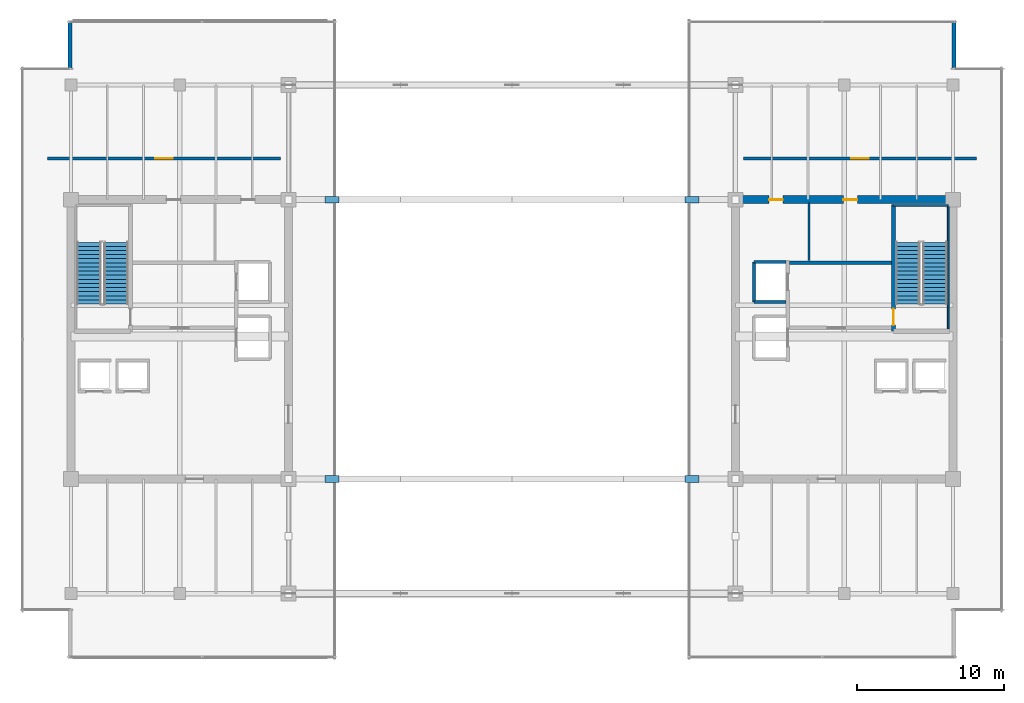
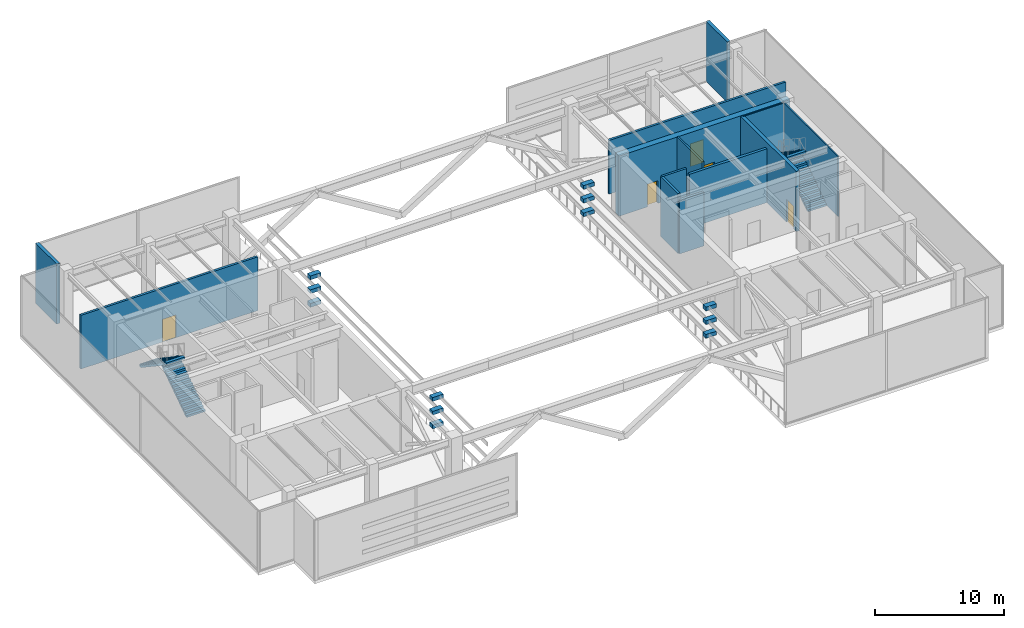
# One storey, part 26 of 30: 13 walls, 12 discrete accessories, 5 doors, 4 stair flights, 5 openings, 2 elements without a shape of their own.
"""IFC4 building model written with IfcOpenShell, lengths in metres."""

from ifc_helpers import new_model, si_unit, direction, frame, frame_2d, origin, origin_2d, place, context, subcontext, project, spatial, polyline, rectangle, outline, extrude, source, transform, mapped, material, layer, layer_set, type_object, type_shapes, element, fill, aggregate, save


model = new_model("IFC4")

# Units and contexts
model_context = context("Model", 3, precision=1e-05, world=origin(), true_north=direction((0.0, 1.0)))
body_context = subcontext(model_context, "Body", "Model", "MODEL_VIEW")
ifc_project = project(units=[si_unit("LENGTHUNIT", "METRE"), si_unit("AREAUNIT", "SQUARE_METRE"), si_unit("VOLUMEUNIT", "CUBIC_METRE"), si_unit("PLANEANGLEUNIT", "RADIAN"), si_unit("MASSUNIT", "GRAM", prefix="KILO")], contexts=[model_context])

# Site, building, storey
site_placement = place(None, origin())
site = spatial("IfcSite", under=ifc_project, at=site_placement, CompositionType="ELEMENT")
building_placement = place(site_placement, origin())
building = spatial("IfcBuilding", under=site, at=building_placement, Name="Haelvirn Gate Laboratories", CompositionType="ELEMENT")
storey_placement = place(building_placement, frame((0.0, 0.0, 291.60009765625)))
storey = spatial("IfcBuildingStorey", under=building, at=storey_placement, Name="L70", CompositionType="ELEMENT", Elevation=291.60009765625)

# Walls
ifc_material_1 = material(Name="Thermally-broken bronze aluminium rainscreen & mineral wool", Category="aluminium")
ifc_layer_1 = layer(ifc_material_1, 0.280029296875, Name="EW-TERR-280")
ifc_layer_set_1 = layer_set([ifc_layer_1], Name="Thermally-broken bronze aluminium rainscreen & mineral wool")
wall_type_1 = type_object("IfcWallType", Name="EW-TERR-280", PredefinedType="STANDARD", material=ifc_layer_set_1)
for number, where, z_axis, x_axis, name in (
    (1, (7.340087890625, 46.0, 0.0), (0.0, 0.0, 1.0), (0.0, -1.0, 0.0), "L70 Atrium Recess Bronze Return Wall 03"),
    (2, (67.4599609375, 42.7119140625, 0.0), (0.0, 0.0, 1.0), (0.0, 1.0, 0.0), "L70 Atrium Recess Bronze Return Wall 05"),
):
    element("IfcWall", number, at=place(storey_placement, frame(where, z_axis=z_axis, x_axis=x_axis)), inside=storey, type_object=wall_type_1, Name=name, PredefinedType="STANDARD", context=body_context, shape_type="SweptSolid", body=[
        extrude(rectangle(XDim=3.2880859375, YDim=0.280029296875, at=frame_2d((1.64404296875, 0.0))), origin(), (0.0, 0.0, 1.0), 5.699951171875),
    ])
ifc_material_2 = material(Name="Cement-board restroom plumbing chase wall", Category="gypsum")
ifc_layer_2 = layer(ifc_material_2, 0.155029296875, Name="IW-PLUMB-160")
ifc_layer_set_2 = layer_set([ifc_layer_2], Name="Cement-board restroom plumbing chase wall")
wall_type_2 = type_object("IfcWallType", Name="IW-PLUMB-160", PredefinedType="PLUMBINGWALL", material=ifc_layer_set_2)
wall_1_placement = place(storey_placement, frame((57.610107421875, 29.64990234375, 0.0), z_axis=(0.0, 0.0, 1.0), x_axis=(0.0, 1.0, 0.0)))
element("IfcWall", 3, at=wall_1_placement, inside=storey, type_object=wall_type_2, Name="L70 Interior Wall IW-L70-E-CDIV-1", PredefinedType="PLUMBINGWALL", context=body_context, shape_type="SweptSolid", body=[
    extrude(rectangle(XDim=3.93017578125, YDim=0.155029296875, at=frame_2d((1.965087890625, 0.0))), origin(), (0.0, 0.0, 1.0), 5.699951171875),
])
ifc_material_3 = material(Name="Concrete C40/50", Category="concrete")
ifc_layer_3 = layer(ifc_material_3, 0.199951171875, Name="IW-SHAFT-200")
ifc_layer_set_3 = layer_set([ifc_layer_3], Name="Concrete C40/50")
wall_type_3 = type_object("IfcWallType", Name="IW-SHAFT-200", PredefinedType="SOLIDWALL", material=ifc_layer_set_3)
wall_2_placement = place(storey_placement, frame((53.85009765625, 26.85009765625, 0.0), z_axis=(0.0, 0.0, 1.0), x_axis=(0.0, 1.0, 0.0)))
element("IfcWall", 4, at=wall_2_placement, inside=storey, type_object=wall_type_3, Name="L70 Interior Wall IW-L70-FL2-BK", PredefinedType="SOLIDWALL", context=body_context, shape_type="SweptSolid", body=[
    extrude(rectangle(XDim=2.699951171875, YDim=0.199951171875, at=frame_2d((1.35009765625, 0.0))), origin(), (0.0, 0.0, 1.0), 5.699951171875),
])
wall_3_placement = place(storey_placement, frame((53.85009765625, 29.550048828125, 0.0), z_axis=(0.0, 0.0, 1.0), x_axis=(1.0, 0.0, 0.0)))
element("IfcWall", 5, at=wall_3_placement, inside=storey, type_object=wall_type_3, Name="L70 Interior Wall IW-L70-FL2-N", PredefinedType="SOLIDWALL", context=body_context, shape_type="SweptSolid", body=[
    extrude(rectangle(XDim=2.18994140625, YDim=0.199951171875, at=frame_2d((1.094970703125, 0.0))), origin(), (0.0, 0.0, 1.0), 5.699951171875),
])
wall_4_placement = place(storey_placement, frame((53.85009765625, 26.85009765625, 0.0), z_axis=(0.0, 0.0, 1.0), x_axis=(1.0, 0.0, 0.0)))
element("IfcWall", 6, at=wall_4_placement, inside=storey, type_object=wall_type_3, Name="L70 Interior Wall IW-L70-FL2-S", PredefinedType="SOLIDWALL", context=body_context, shape_type="SweptSolid", body=[
    extrude(rectangle(XDim=2.18994140625, YDim=0.199951171875, at=frame_2d((1.094970703125, 0.0))), origin(), (0.0, 0.0, 1.0), 5.096923828125),
])

# Wall, opening, door
wall_5_placement = place(storey_placement, frame((5.800048828125, 36.60009765625, 0.0), z_axis=(0.0, 0.0, 1.0), x_axis=(1.0, 0.0, 0.0)))
wall_5 = element("IfcWall", 7, at=wall_5_placement, inside=storey, type_object=wall_type_3, Name="L70 Interior Wall IW-L70-PLT-W", PredefinedType="SOLIDWALL", context=body_context, shape_type="SweptSolid", body=[
    extrude(rectangle(XDim=15.849853515625, YDim=0.199951171875, at=frame_2d((7.9248046875, 0.0))), origin(), (0.0, 0.0, 1.0), 5.096923828125),
])
opening_1_placement = place(wall_5_placement, frame((7.324951171875, 0.0, 0.0)))
opening_1 = element("IfcOpeningElement", 8, at=opening_1_placement, cuts=wall_5, Name="Opening FD2", PredefinedType="OPENING", context=body_context, shape_type="SweptSolid", body=[
    extrude(rectangle(XDim=1.199951171875, YDim=2.159912109375, at=frame_2d((0.60009765625, 1.080078125))), frame((0.0, 0.10986328125, 0.0), z_axis=(0.0, -1.0, 0.0), x_axis=(1.0, 0.0, 0.0)), (0.0, 0.0, 1.0), 0.219970703125),
])
ifc_material_4 = material(Name="Fire-rated steel SM355 compartment door", Category="steel")
door_type_1 = type_object("IfcDoorType", Name="DR-FD-1200", OperationType="NOTDEFINED", PredefinedType="DOOR", material=ifc_material_4)
shared_shape_1 = source(origin(), body_context, "Body", "SweptSolid", [
    extrude(rectangle(XDim=1.199951171875, YDim=2.159912109375, at=frame_2d((0.60009765625, 1.080078125))), frame((0.0, 0.02490234375, 0.0), z_axis=(0.0, -1.0, 0.0), x_axis=(1.0, 0.0, 0.0)), (0.0, 0.0, 1.0), 0.050048828125),
])
type_shapes(door_type_1, [shared_shape_1])
door_1_placement = place(opening_1_placement, origin())
door_1 = element("IfcDoor", 9, at=door_1_placement, inside=storey, type_object=door_type_1, Name="L70 West Plant Fire Door", OperationType="SINGLE_SWING_RIGHT", OverallHeight=2.159912109375, OverallWidth=1.199951171875, PredefinedType="DOOR", context=body_context, shape_type="MappedRepresentation", body=[
    mapped(shared_shape_1, transform((0.0, 0.0, 0.0), scale=1.0)),
])
fill(opening_1, door_1)

wall_6_placement = place(storey_placement, frame((53.14990234375, 36.60009765625, 0.0), z_axis=(0.0, 0.0, 1.0), x_axis=(1.0, 0.0, 0.0)))
wall_6 = element("IfcWall", 10, at=wall_6_placement, inside=storey, type_object=wall_type_3, Name="L70 Interior Wall IW-L70-PLT-E", PredefinedType="SOLIDWALL", context=body_context, shape_type="SweptSolid", body=[
    extrude(rectangle(XDim=15.85009765625, YDim=0.199951171875, at=frame_2d((7.925048828125, 0.0))), origin(), (0.0, 0.0, 1.0), 5.096923828125),
])
opening_2_placement = place(wall_6_placement, frame((7.324951171875, 0.0, 0.0)))
opening_2 = element("IfcOpeningElement", 11, at=opening_2_placement, cuts=wall_6, Name="Opening FD2", PredefinedType="OPENING", context=body_context, shape_type="SweptSolid", body=[
    extrude(rectangle(XDim=1.199951171875, YDim=2.159912109375, at=frame_2d((0.60009765625, 1.080078125))), frame((0.0, 0.10986328125, 0.0), z_axis=(0.0, -1.0, 0.0), x_axis=(1.0, 0.0, 0.0)), (0.0, 0.0, 1.0), 0.219970703125),
])
door_2_placement = place(opening_2_placement, origin())
door_2 = element("IfcDoor", 12, at=door_2_placement, inside=storey, type_object=door_type_1, Name="L70 East Plant Fire Door", OperationType="SINGLE_SWING_RIGHT", OverallHeight=2.159912109375, OverallWidth=1.199951171875, PredefinedType="DOOR", context=body_context, shape_type="MappedRepresentation", body=[
    mapped(shared_shape_1, transform((0.0, 0.0, 0.0), scale=1.0)),
])
fill(opening_2, door_2)

# Wall
ifc_layer_4 = layer(ifc_material_3, 0.239990234375, Name="IW-SHAFT-240")
ifc_layer_set_4 = layer_set([ifc_layer_4], Name="Concrete C40/50")
wall_type_4 = type_object("IfcWallType", Name="IW-SHAFT-240", PredefinedType="SOLIDWALL", material=ifc_layer_set_4)
wall_7_placement = place(storey_placement, frame((56.280029296875, 29.52001953125, 0.0), z_axis=(0.0, 0.0, 1.0), x_axis=(1.0, 0.0, 0.0)))
element("IfcWall", 13, at=wall_7_placement, inside=storey, type_object=wall_type_4, Name="L70 Interior Wall IW-L70-E-FF-N", PredefinedType="SOLIDWALL", context=body_context, shape_type="SweptSolid", body=[
    extrude(rectangle(XDim=6.919921875, YDim=0.239990234375, at=frame_2d((3.4599609375, 0.0))), origin(), (0.0, 0.0, 1.0), 5.096923828125),
])

# Wall, openings, doors
ifc_material_5 = material(Name="Concrete C50/60", Category="concrete")
ifc_layer_5 = layer(ifc_material_5, 0.550048828125, Name="SW-CORE-550")
ifc_layer_set_5 = layer_set([ifc_layer_5], Name="Concrete C50/60")
wall_type_5 = type_object("IfcWallType", Name="SW-CORE-550", PredefinedType="SHEAR", material=ifc_layer_set_5)
wall_8_placement = place(storey_placement, frame((52.324951171875, 33.800048828125, 0.0), z_axis=(0.0, 0.0, 1.0), x_axis=(1.0, 0.0, 0.0)))
wall_8 = element("IfcWall", 14, at=wall_8_placement, inside=storey, type_object=wall_type_5, Name="L70 E Core Shear Wall N", PredefinedType="SHEAR", context=body_context, shape_type="SweptSolid", body=[
    extrude(rectangle(XDim=15.35009765625, YDim=0.550048828125, at=frame_2d((7.675048828125, 0.0))), origin(), (0.0, 0.0, 1.0), 5.699951171875),
])
opening_3_placement = place(wall_8_placement, frame((7.625, 0.0, 0.0)))
opening_3 = element("IfcOpeningElement", 15, at=opening_3_placement, cuts=wall_8, Name="Opening FD4", PredefinedType="OPENING", context=body_context, shape_type="SweptSolid", body=[
    extrude(rectangle(XDim=0.949951171875, YDim=2.14990234375, at=frame_2d((0.47509765625, 1.074951171875))), frame((0.0, 0.28515625, 0.0), z_axis=(0.0, -1.0, 0.0), x_axis=(1.0, 0.0, 0.0)), (0.0, 0.0, 1.0), 0.570068359375),
])
opening_4_placement = place(wall_8_placement, frame((2.56005859375, 0.0, 0.0)))
opening_4 = element("IfcOpeningElement", 16, at=opening_4_placement, cuts=wall_8, Name="Opening FD4", PredefinedType="OPENING", context=body_context, shape_type="SweptSolid", body=[
    extrude(rectangle(XDim=0.949951171875, YDim=2.14990234375, at=frame_2d((0.47509765625, 1.074951171875))), frame((0.0, 0.28515625, 0.0), z_axis=(0.0, -1.0, 0.0), x_axis=(1.0, 0.0, 0.0)), (0.0, 0.0, 1.0), 0.570068359375),
])
ifc_material_6 = material(Name="Fire-rated steel SM355 core service door", Category="steel")
door_type_2 = type_object("IfcDoorType", Name="DR-FD-950", OperationType="NOTDEFINED", PredefinedType="DOOR", material=ifc_material_6)
shared_shape_2 = source(origin(), body_context, "Body", "SweptSolid", [
    extrude(rectangle(XDim=0.949951171875, YDim=2.14990234375, at=frame_2d((0.47509765625, 1.074951171875))), frame((0.0, 0.02490234375, 0.0), z_axis=(0.0, -1.0, 0.0), x_axis=(1.0, 0.0, 0.0)), (0.0, 0.0, 1.0), 0.050048828125),
])
type_shapes(door_type_2, [shared_shape_2])
door_3_placement = place(opening_3_placement, origin())
door_3 = element("IfcDoor", 17, at=door_3_placement, inside=storey, type_object=door_type_2, Name="L70 All-Gender Multi-Stall Restroom Fire Door", OperationType="SINGLE_SWING_LEFT", OverallHeight=2.14990234375, OverallWidth=0.949951171875, PredefinedType="DOOR", context=body_context, shape_type="MappedRepresentation", body=[
    mapped(shared_shape_2, transform((0.0, 0.0, 0.0), scale=1.0)),
])
fill(opening_3, door_3)
door_4_placement = place(opening_4_placement, origin())
door_4 = element("IfcDoor", 18, at=door_4_placement, inside=storey, type_object=door_type_2, Name="L70 Accessible Restroom Fire Door", OperationType="SINGLE_SWING_RIGHT", OverallHeight=2.14990234375, OverallWidth=0.949951171875, PredefinedType="DOOR", context=body_context, shape_type="MappedRepresentation", body=[
    mapped(shared_shape_2, transform((0.0, 0.0, 0.0), scale=1.0)),
])
fill(opening_4, door_4)

# Walls
ifc_layer_6 = layer(ifc_material_5, 0.1201171875, Name="SW-LINER-120")
ifc_layer_set_6 = layer_set([ifc_layer_6], Name="Concrete C50/60")
wall_type_6 = type_object("IfcWallType", Name="SW-LINER-120", PredefinedType="SOLIDWALL", material=ifc_layer_set_6)
wall_9_placement = place(storey_placement, frame((63.35009765625, 33.39990234375, 0.0), z_axis=(0.0, 0.0, 1.0), x_axis=(1.0, 0.0, 0.0)))
element("IfcWall", 19, at=wall_9_placement, inside=storey, type_object=wall_type_6, Name="L70 E Core Stair Shaft Liner Wall N", PredefinedType="SOLIDWALL", context=body_context, shape_type="SweptSolid", body=[
    extrude(rectangle(XDim=3.719970703125, YDim=0.1201171875, at=frame_2d((1.85986328125, 0.0))), origin(), (0.0, 0.0, 1.0), 5.699951171875),
])
wall_10_placement = place(storey_placement, frame((67.070068359375, 25.0, 0.0), z_axis=(0.0, 0.0, 1.0), x_axis=(0.0, 1.0, 0.0)))
element("IfcWall", 20, at=wall_10_placement, inside=storey, type_object=wall_type_6, Name="L70 E Core Stair Shaft Liner Wall OUT", PredefinedType="SOLIDWALL", context=body_context, shape_type="SweptSolid", body=[
    extrude(rectangle(XDim=8.320068359375, YDim=0.1201171875, at=frame_2d((4.16015625, 0.0))), origin(), (0.0, 0.0, 1.0), 5.699951171875),
])

# Wall, opening, door
ifc_layer_7 = layer(ifc_material_5, 0.300048828125, Name="SW-STAIR-300")
ifc_layer_set_7 = layer_set([ifc_layer_7], Name="Concrete C50/60")
wall_type_7 = type_object("IfcWallType", Name="SW-STAIR-300", PredefinedType="SHEAR", material=ifc_layer_set_7)
wall_11_placement = place(storey_placement, frame((63.35009765625, 24.85009765625, 0.0), z_axis=(0.0, 0.0, 1.0), x_axis=(0.0, 1.0, 0.0)))
wall_11 = element("IfcWall", 21, at=wall_11_placement, inside=storey, type_object=wall_type_7, Name="L70 E Core Stair Shaft Structural Wall IN", PredefinedType="SHEAR", context=body_context, shape_type="SweptSolid", body=[
    extrude(rectangle(XDim=8.6298828125, YDim=0.300048828125, at=frame_2d((4.31494140625, 0.0))), origin(), (0.0, 0.0, 1.0), 5.699951171875),
])
opening_5_placement = place(wall_11_placement, frame((0.419921875, 0.0, 0.0)))
opening_5 = element("IfcOpeningElement", 22, at=opening_5_placement, cuts=wall_11, Name="Opening FD3", PredefinedType="OPENING", context=body_context, shape_type="SweptSolid", body=[
    extrude(rectangle(XDim=1.10009765625, YDim=2.14990234375, at=frame_2d((0.550048828125, 1.074951171875))), frame((0.0, 0.16015625, 0.0), z_axis=(0.0, -1.0, 0.0), x_axis=(1.0, 0.0, 0.0)), (0.0, 0.0, 1.0), 0.320068359375),
])
ifc_material_7 = material(Name="Fire-rated steel SM355 escape stair door", Category="steel")
door_type_3 = type_object("IfcDoorType", Name="DR-FD-1100", OperationType="NOTDEFINED", PredefinedType="DOOR", material=ifc_material_7)
shared_shape_3 = source(origin(), body_context, "Body", "SweptSolid", [
    extrude(rectangle(XDim=1.10009765625, YDim=2.14990234375, at=frame_2d((0.550048828125, 1.074951171875))), frame((0.0, 0.02490234375, 0.0), z_axis=(0.0, -1.0, 0.0), x_axis=(1.0, 0.0, 0.0)), (0.0, 0.0, 1.0), 0.050048828125),
])
type_shapes(door_type_3, [shared_shape_3])
door_5_placement = place(opening_5_placement, origin())
door_5 = element("IfcDoor", 23, at=door_5_placement, inside=storey, type_object=door_type_3, Name="L70 Escape Stair ST2 Fire Door", OperationType="SINGLE_SWING_RIGHT", OverallHeight=2.14990234375, OverallWidth=1.10009765625, PredefinedType="DOOR", context=body_context, shape_type="MappedRepresentation", body=[
    mapped(shared_shape_3, transform((0.0, 0.0, 0.0), scale=1.0)),
])
fill(opening_5, door_5)

# Stair, stair flights
stair_type = type_object("IfcStairType", Name="ST-DOG-1650-R32", PredefinedType="HALF_TURN_STAIR", material=ifc_material_3)
stair_1_placement = place(storey_placement, origin())
stair_1 = element("IfcStair", 24, at=stair_1_placement, inside=storey, type_object=stair_type, Name="L70 Escape Stair ST1", PredefinedType="HALF_TURN_STAIR")
stair_flight_type = type_object("IfcStairFlightType", Name="STF-1650-R16", PredefinedType="STRAIGHT", material=ifc_material_3)
shared_shape_4 = source(origin(), body_context, "Body", "SweptSolid", [
    extrude(outline(polyline([(0.0, 0.0), (0.0, 0.1875), (0.280029296875, 0.1875), (0.280029296875, 0.375), (0.56005859375, 0.375), (0.56005859375, 0.5625), (0.840087890625, 0.5625), (0.840087890625, 0.75), (1.1201171875, 0.75), (1.1201171875, 0.9375), (1.39990234375, 0.9375), (1.39990234375, 1.125), (1.679931640625, 1.125), (1.679931640625, 1.3125), (1.9599609375, 1.3125), (1.9599609375, 1.5), (2.239990234375, 1.5), (2.239990234375, 1.6875), (2.52001953125, 1.6875), (2.52001953125, 1.875), (2.800048828125, 1.875), (2.800048828125, 2.0625), (3.080078125, 2.0625), (3.080078125, 2.25), (3.360107421875, 2.25), (3.360107421875, 2.4375), (3.639892578125, 2.4375), (3.639892578125, 2.625), (3.919921875, 2.625), (3.919921875, 2.8125), (4.199951171875, 2.8125), (4.199951171875, 3.0), (4.199951171875, 2.6201171875), (0.287353515625, 0.0), (0.0, 0.0)])), frame((0.0, 0.824951171875, 0.0), z_axis=(0.0, -1.0, 0.0), x_axis=(1.0, 0.0, 0.0)), (0.0, 0.0, 1.0), 1.64990234375),
])
type_shapes(stair_flight_type, [shared_shape_4])
stair_flight_1_placement = place(storey_placement, frame((10.47509765625, 26.699951171875, 0.0), z_axis=(0.0, 0.0, 1.0), x_axis=(0.0, 1.0, 0.0)))
stair_flight_1 = element("IfcStairFlight", 25, at=stair_flight_1_placement, type_object=stair_flight_type, Name="ST1 flight 1", NumberOfRisers=16, NumberOfTreads=15, PredefinedType="STRAIGHT", RiserHeight=0.1875, TreadLength=0.28, context=body_context, shape_type="MappedRepresentation", body=[
    mapped(shared_shape_4, transform((0.0, 0.0, 0.0), scale=1.0)),
])
stair_flight_2_placement = place(storey_placement, frame((8.625, 30.89990234375, 3.0), z_axis=(0.0, 0.0, 1.0), x_axis=(0.0, -1.0, 0.0)))
stair_flight_2 = element("IfcStairFlight", 26, at=stair_flight_2_placement, type_object=stair_flight_type, Name="ST1 flight 2", NumberOfRisers=16, NumberOfTreads=15, PredefinedType="STRAIGHT", RiserHeight=0.1875, TreadLength=0.28, context=body_context, shape_type="MappedRepresentation", body=[
    mapped(shared_shape_4, transform((0.0, 0.0, 0.0), scale=1.0)),
])
aggregate(stair_1, [stair_flight_1, stair_flight_2])

stair_2_placement = place(storey_placement, origin())
stair_2 = element("IfcStair", 27, at=stair_2_placement, inside=storey, type_object=stair_type, Name="L70 Escape Stair ST2", PredefinedType="HALF_TURN_STAIR")
stair_flight_3_placement = place(storey_placement, frame((66.175048828125, 26.699951171875, 0.0), z_axis=(0.0, 0.0, 1.0), x_axis=(0.0, 1.0, 0.0)))
stair_flight_3 = element("IfcStairFlight", 28, at=stair_flight_3_placement, type_object=stair_flight_type, Name="ST2 flight 1", NumberOfRisers=16, NumberOfTreads=15, PredefinedType="STRAIGHT", RiserHeight=0.1875, TreadLength=0.28, context=body_context, shape_type="MappedRepresentation", body=[
    mapped(shared_shape_4, transform((0.0, 0.0, 0.0), scale=1.0)),
])
stair_flight_4_placement = place(storey_placement, frame((64.324951171875, 30.89990234375, 3.0), z_axis=(0.0, 0.0, 1.0), x_axis=(0.0, -1.0, 0.0)))
stair_flight_4 = element("IfcStairFlight", 29, at=stair_flight_4_placement, type_object=stair_flight_type, Name="ST2 flight 2", NumberOfRisers=16, NumberOfTreads=15, PredefinedType="STRAIGHT", RiserHeight=0.1875, TreadLength=0.28, context=body_context, shape_type="MappedRepresentation", body=[
    mapped(shared_shape_4, transform((0.0, 0.0, 0.0), scale=1.0)),
])
aggregate(stair_2, [stair_flight_3, stair_flight_4])

# Discrete accessories
ifc_material_8 = material(Name="Steel SM355 & duplex stainless anchorage", Category="steel")
discrete_accessory_type = type_object("IfcDiscreteAccessoryType", Name="ACC-BRK-FIN", PredefinedType="BRACKET", material=ifc_material_8)
shared_shape_5 = source(origin(), body_context, "Body", "SweptSolid", [
    extrude(rectangle(XDim=0.9599609375, YDim=0.4599609375, at=origin_2d()), origin(), (0.0, 0.0, 1.0), 0.360107421875),
])
type_shapes(discrete_accessory_type, [shared_shape_5])
for number, where, z_axis, x_axis, name in (
    (30, (25.14990234375, 14.800048828125, 1.02001953125), (0.0, 0.0, 1.0), (1.0, 0.0, 0.0), "L70 Turbine Louvre Anchor Bracket W-1-1"),
    (31, (25.14990234375, 33.800048828125, 1.02001953125), (0.0, 0.0, 1.0), (1.0, 0.0, 0.0), "L70 Turbine Louvre Anchor Bracket W-1-2"),
    (32, (25.14990234375, 14.800048828125, 2.31982421875), (0.0, 0.0, 1.0), (1.0, 0.0, 0.0), "L70 Turbine Louvre Anchor Bracket W-2-1"),
    (33, (25.14990234375, 33.800048828125, 2.31982421875), (0.0, 0.0, 1.0), (1.0, 0.0, 0.0), "L70 Turbine Louvre Anchor Bracket W-2-2"),
    (34, (25.14990234375, 14.800048828125, 3.61962890625), (0.0, 0.0, 1.0), (1.0, 0.0, 0.0), "L70 Turbine Louvre Anchor Bracket W-3-1"),
    (35, (25.14990234375, 33.800048828125, 3.61962890625), (0.0, 0.0, 1.0), (1.0, 0.0, 0.0), "L70 Turbine Louvre Anchor Bracket W-3-2"),
    (36, (49.64990234375, 14.800048828125, 1.02001953125), (0.0, 0.0, 1.0), (1.0, 0.0, 0.0), "L70 Turbine Louvre Anchor Bracket E-1-1"),
    (37, (49.64990234375, 33.800048828125, 1.02001953125), (0.0, 0.0, 1.0), (1.0, 0.0, 0.0), "L70 Turbine Louvre Anchor Bracket E-1-2"),
    (38, (49.64990234375, 14.800048828125, 2.31982421875), (0.0, 0.0, 1.0), (1.0, 0.0, 0.0), "L70 Turbine Louvre Anchor Bracket E-2-1"),
    (39, (49.64990234375, 33.800048828125, 2.31982421875), (0.0, 0.0, 1.0), (1.0, 0.0, 0.0), "L70 Turbine Louvre Anchor Bracket E-2-2"),
    (40, (49.64990234375, 14.800048828125, 3.61962890625), (0.0, 0.0, 1.0), (1.0, 0.0, 0.0), "L70 Turbine Louvre Anchor Bracket E-3-1"),
    (41, (49.64990234375, 33.800048828125, 3.61962890625), (0.0, 0.0, 1.0), (1.0, 0.0, 0.0), "L70 Turbine Louvre Anchor Bracket E-3-2"),
):
    element("IfcDiscreteAccessory", number, at=place(storey_placement, frame(where, z_axis=z_axis, x_axis=x_axis)), inside=storey, type_object=discrete_accessory_type, Name=name, PredefinedType="BRACKET", context=body_context, shape_type="MappedRepresentation", body=[
        mapped(shared_shape_5, transform((0.0, 0.0, 0.0), scale=1.0)),
    ])

save(model, "model.ifc")
